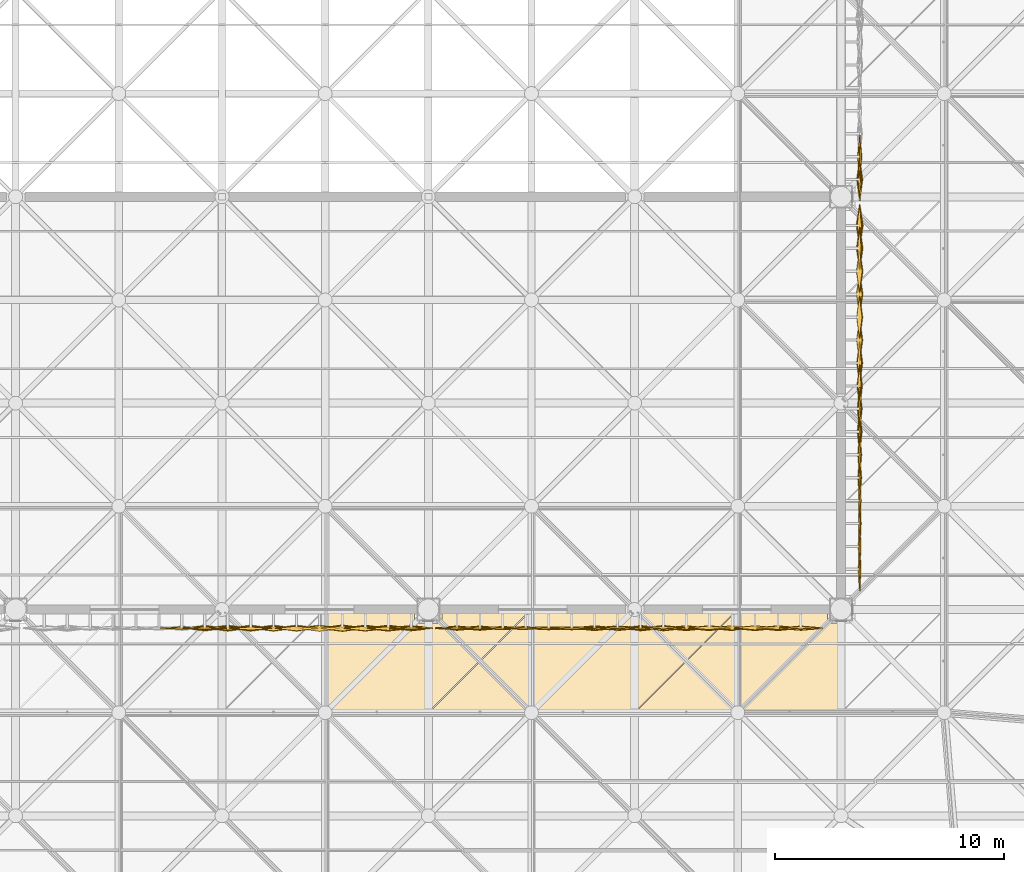
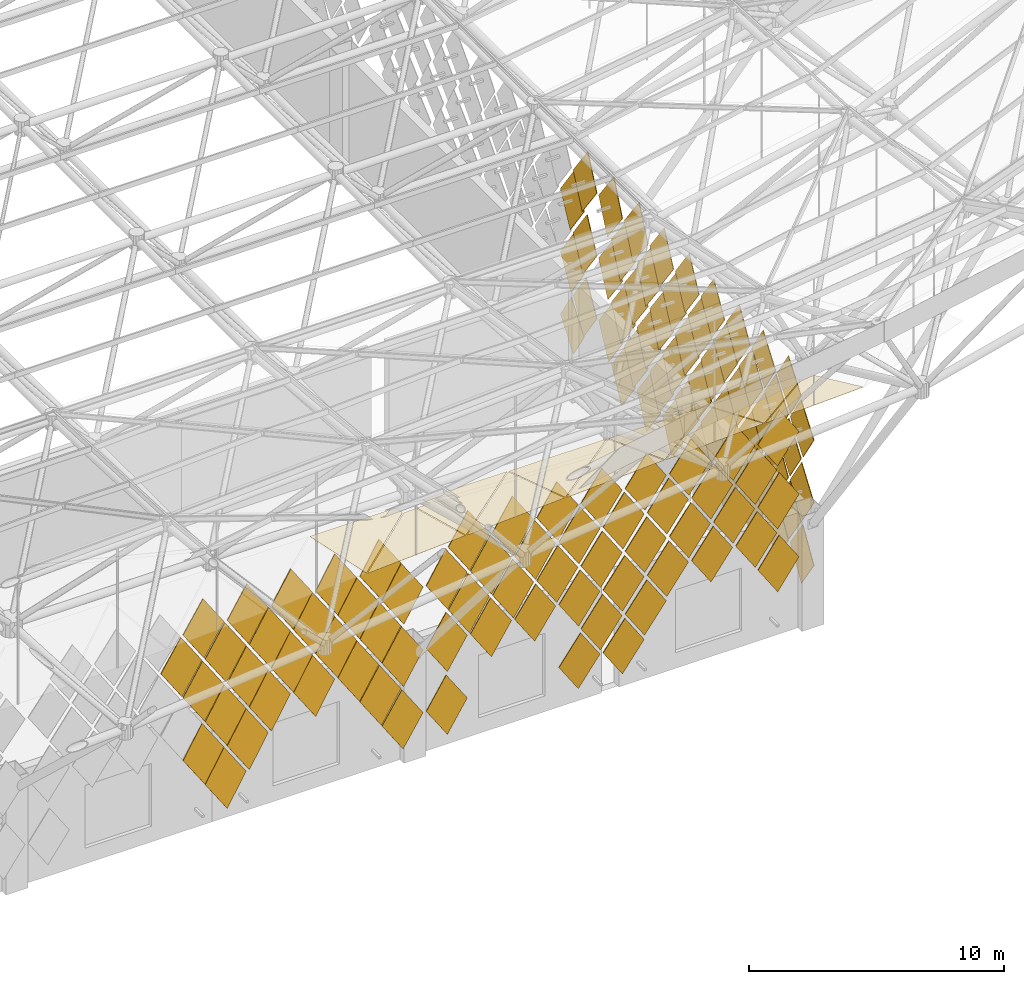
# One storey, part 416 of 437: 128 coverings.
"""IFC4 building model written with IfcOpenShell, lengths in metres."""

from ifc_helpers import new_model, si_unit, direction, frame, origin, place, context, subcontext, project, spatial, polyline, outline, extrude, material, layer, layer_set, material_profile, profile_set, type_object, element, save


model = new_model("IFC4")

# Units and contexts
model_context = context("Model", 3, precision=1e-05, world=origin(), true_north=direction((0.0, 1.0)))
body_context = subcontext(model_context, "Body", "Model", "MODEL_VIEW")
ifc_project = project(units=[si_unit("LENGTHUNIT", "METRE"), si_unit("AREAUNIT", "SQUARE_METRE"), si_unit("VOLUMEUNIT", "CUBIC_METRE"), si_unit("PLANEANGLEUNIT", "RADIAN"), si_unit("MASSUNIT", "GRAM", prefix="KILO")], contexts=[model_context])

# Site, building, storey
site_placement = place(None, origin())
site = spatial("IfcSite", under=ifc_project, at=site_placement, CompositionType="ELEMENT")
building_placement = place(site_placement, origin())
building = spatial("IfcBuilding", under=site, at=building_placement, Name="Opaline Strait Convention Centre", CompositionType="ELEMENT")
storey_placement = place(building_placement, frame((0.0, 0.0, 11.5)))
storey = spatial("IfcBuildingStorey", under=building, at=storey_placement, Name="L02", CompositionType="ELEMENT", Elevation=11.5)

# Coverings
ifc_material_1 = material(Name="White ceramic-faced aluminium tile", Category="aluminium")
ifc_material_profile_1 = material_profile(ifc_material_1, outline(polyline([(0.927978515625, 0.0), (0.0, 1.39208984375), (-0.927978515625, 0.0), (0.0, -1.39208984375), (0.927978515625, 0.0)])), Name="Diamond tile 1856x2784")
ifc_profile_set_1 = profile_set([ifc_material_profile_1], Name="White ceramic-faced aluminium tile")
covering_type_1 = type_object("IfcCoveringType", Name="Diamond wall tile 1856x2784x30 pivot 1 deg", PredefinedType="CLADDING", material=ifc_profile_set_1)
for number, where, z_axis, x_axis, name in (
    (1, (261.800048828125, 55.75, 1.89208984375), (0.999702690643, 0.0, -0.024382992455), (0.0, 1.0, 0.0), "Wall tile XT02 E"),
    (2, (261.800048828125, 56.75, 3.39208984375), (0.999702690643, 0.0, -0.024382992455), (0.0, 1.0, 0.0), "Wall tile XT02 E"),
    (3, (261.800048828125, 55.75, 4.89208984375), (0.999867829764, 0.0, 0.016258013492), (0.0, 1.0, 0.0), "Wall tile XT02 E"),
    (4, (261.800048828125, 57.75, 4.89208984375), (0.999702690643, 0.0, -0.024382992455), (0.0, 1.0, 0.0), "Wall tile XT02 E"),
    (5, (261.800048828125, 56.75, 6.39208984375), (0.999867829764, 0.0, 0.016258013492), (0.0, 1.0, 0.0), "Wall tile XT02 E"),
    (6, (261.800048828125, 57.75, 7.89208984375), (0.999867829764, 0.0, 0.016258013492), (0.0, 1.0, 0.0), "Wall tile XT02 E"),
):
    element("IfcCovering", number, at=place(storey_placement, frame(where, z_axis=z_axis, x_axis=x_axis)), inside=storey, type_object=covering_type_1, Name=name, PredefinedType="CLADDING", context=body_context, shape_type="SweptSolid", body=[
        extrude(outline(polyline([(0.927978515625, 0.0), (0.0, 1.39208984375), (-0.927978515625, 0.0), (0.0, -1.39208984375), (0.927978515625, 0.0)])), origin(), (0.0, 0.0, 1.0), 0.030029296875),
    ])
ifc_material_profile_2 = material_profile(ifc_material_1, outline(polyline([(0.927978515625, 0.0), (0.0, 1.39208984375), (-0.927978515625, 0.0), (0.0, -1.39208984375), (0.927978515625, 0.0)])), Name="Diamond tile 1856x2784")
ifc_profile_set_2 = profile_set([ifc_material_profile_2], Name="White ceramic-faced aluminium tile")
covering_type_2 = type_object("IfcCoveringType", Name="Diamond wall tile 1856x2784x30 pivot 1.5 deg", PredefinedType="CLADDING", material=ifc_profile_set_2)
for number, where, z_axis, x_axis, name in (
    (7, (246.25, 53.199951171875, 5.39208984375), (0.0, -0.999702690643, 0.024382992455), (1.0, 0.0, 0.0), "Wall tile XT03 S"),
    (8, (248.25, 53.199951171875, 5.39208984375), (0.0, -0.999471633277, -0.032503142546), (1.0, 0.0, 0.0), "Wall tile XT03 S"),
    (9, (247.25, 53.199951171875, 6.89208984375), (0.0, -0.999702690643, 0.024382992455), (1.0, 0.0, 0.0), "Wall tile XT03 S"),
    (10, (249.25, 53.199951171875, 6.89208984375), (0.0, -0.999471633277, -0.032503142546), (1.0, 0.0, 0.0), "Wall tile XT03 S"),
    (11, (248.25, 53.199951171875, 8.39208984375), (0.0, -0.999702690643, 0.024382992455), (1.0, 0.0, 0.0), "Wall tile XT03 S"),
    (12, (250.25, 53.199951171875, 8.39208984375), (0.0, -0.999471633277, -0.032503142546), (1.0, 0.0, 0.0), "Wall tile XT03 S"),
    (13, (249.25, 53.199951171875, 9.89208984375), (0.0, -0.999702690643, 0.024382992455), (1.0, 0.0, 0.0), "Wall tile XT03 S"),
    (14, (251.25, 53.199951171875, 9.89208984375), (0.0, -0.999471633277, -0.032503142546), (1.0, 0.0, 0.0), "Wall tile XT03 S"),
    (15, (261.800048828125, 57.75, 1.89208984375), (0.999471633277, 0.0, -0.032503142546), (0.0, 1.0, 0.0), "Wall tile XT03 E"),
    (16, (261.800048828125, 58.75, 3.39208984375), (0.999471633277, 0.0, -0.032503142546), (0.0, 1.0, 0.0), "Wall tile XT03 E"),
    (17, (261.800048828125, 59.75, 4.89208984375), (0.999471633277, 0.0, -0.032503142546), (0.0, 1.0, 0.0), "Wall tile XT03 E"),
    (18, (261.800048828125, 58.75, 6.39208984375), (0.999471633277, 0.0, -0.032503142546), (0.0, 1.0, 0.0), "Wall tile XT03 E"),
    (19, (261.800048828125, 60.75, 6.39208984375), (0.999471633277, 0.0, -0.032503142546), (0.0, 1.0, 0.0), "Wall tile XT03 E"),
    (20, (261.800048828125, 59.75, 7.89208984375), (0.999471633277, 0.0, -0.032503142546), (0.0, 1.0, 0.0), "Wall tile XT03 E"),
    (21, (261.800048828125, 61.75, 7.89208984375), (0.999471633277, 0.0, -0.032503142546), (0.0, 1.0, 0.0), "Wall tile XT03 E"),
    (22, (261.800048828125, 58.75, 9.39208984375), (0.999702690643, 0.0, 0.024382992455), (0.0, 1.0, 0.0), "Wall tile XT03 E"),
    (23, (261.800048828125, 60.75, 9.39208984375), (0.999471633277, 0.0, -0.032503142546), (0.0, 1.0, 0.0), "Wall tile XT03 E"),
    (24, (261.800048828125, 62.75, 9.39208984375), (0.999471633277, 0.0, -0.032503142546), (0.0, 1.0, 0.0), "Wall tile XT03 E"),
):
    element("IfcCovering", number, at=place(storey_placement, frame(where, z_axis=z_axis, x_axis=x_axis)), inside=storey, type_object=covering_type_2, Name=name, PredefinedType="CLADDING", context=body_context, shape_type="SweptSolid", body=[
        extrude(outline(polyline([(0.927978515625, 0.0), (0.0, 1.39208984375), (-0.927978515625, 0.0), (0.0, -1.39208984375), (0.927978515625, 0.0)])), origin(), (0.0, 0.0, 1.0), 0.030029296875),
    ])
ifc_material_profile_3 = material_profile(ifc_material_1, outline(polyline([(0.927978515625, 0.0), (0.0, 1.39208984375), (-0.927978515625, 0.0), (0.0, -1.39208984375), (0.927978515625, 0.0)])), Name="Diamond tile 1856x2784")
ifc_profile_set_3 = profile_set([ifc_material_profile_3], Name="White ceramic-faced aluminium tile")
covering_type_3 = type_object("IfcCoveringType", Name="Diamond wall tile 1856x2784x30 pivot 2 deg", PredefinedType="CLADDING", material=ifc_profile_set_3)
for number, where, z_axis, x_axis, name in (
    (25, (242.25, 53.199951171875, 2.39208984375), (0.0, -0.999471633277, 0.032503142546), (1.0, 0.0, 0.0), "Wall tile XT04 S"),
    (26, (244.25, 53.199951171875, 2.39208984375), (0.0, -0.999471633277, 0.032503142546), (1.0, 0.0, 0.0), "Wall tile XT04 S"),
    (27, (259.25, 53.199951171875, 3.89208984375), (0.0, -0.999174794796, -0.040616861577), (1.0, 0.0, 0.0), "Wall tile XT04 S"),
    (28, (244.25, 53.199951171875, 5.39208984375), (0.0, -0.999471633277, 0.032503142546), (1.0, 0.0, 0.0), "Wall tile XT04 S"),
    (29, (245.25, 53.199951171875, 6.89208984375), (0.0, -0.999471633277, 0.032503142546), (1.0, 0.0, 0.0), "Wall tile XT04 S"),
    (30, (232.25, 53.199951171875, 8.39208984375), (0.0, -0.999471633277, 0.032503142546), (1.0, 0.0, 0.0), "Wall tile XT04 S"),
    (31, (246.25, 53.199951171875, 8.39208984375), (0.0, -0.999471633277, 0.032503142546), (1.0, 0.0, 0.0), "Wall tile XT04 S"),
    (32, (252.25, 53.199951171875, 8.39208984375), (0.0, -0.999174794796, -0.040616861577), (1.0, 0.0, 0.0), "Wall tile XT04 S"),
    (33, (233.25, 53.199951171875, 9.89208984375), (0.0, -0.999471633277, 0.032503142546), (1.0, 0.0, 0.0), "Wall tile XT04 S"),
    (34, (247.25, 53.199951171875, 9.89208984375), (0.0, -0.999471633277, 0.032503142546), (1.0, 0.0, 0.0), "Wall tile XT04 S"),
    (35, (253.25, 53.199951171875, 9.89208984375), (0.0, -0.999174794796, -0.040616861577), (1.0, 0.0, 0.0), "Wall tile XT04 S"),
    (36, (261.800048828125, 73.75, 1.89208984375), (0.999471633277, 0.0, 0.032503142546), (0.0, 1.0, 0.0), "Wall tile XT04 E"),
    (37, (261.800048828125, 72.75, 3.39208984375), (0.999174794796, 0.0, -0.040616861577), (0.0, 1.0, 0.0), "Wall tile XT04 E"),
    (38, (261.800048828125, 73.75, 4.89208984375), (0.999174794796, 0.0, -0.040616861577), (0.0, 1.0, 0.0), "Wall tile XT04 E"),
    (39, (261.800048828125, 55.75, 7.89208984375), (0.999471633277, 0.0, 0.032503142546), (0.0, 1.0, 0.0), "Wall tile XT04 E"),
    (40, (261.800048828125, 56.75, 9.39208984375), (0.999471633277, 0.0, 0.032503142546), (0.0, 1.0, 0.0), "Wall tile XT04 E"),
):
    element("IfcCovering", number, at=place(storey_placement, frame(where, z_axis=z_axis, x_axis=x_axis)), inside=storey, type_object=covering_type_3, Name=name, PredefinedType="CLADDING", context=body_context, shape_type="SweptSolid", body=[
        extrude(outline(polyline([(0.927978515625, 0.0), (0.0, 1.39208984375), (-0.927978515625, 0.0), (0.0, -1.39208984375), (0.927978515625, 0.0)])), origin(), (0.0, 0.0, 1.0), 0.030029296875),
    ])
ifc_material_profile_4 = material_profile(ifc_material_1, outline(polyline([(0.927978515625, 0.0), (0.0, 1.39208984375), (-0.927978515625, 0.0), (0.0, -1.39208984375), (0.927978515625, 0.0)])), Name="Diamond tile 1856x2784")
ifc_profile_set_4 = profile_set([ifc_material_profile_4], Name="White ceramic-faced aluminium tile")
covering_type_4 = type_object("IfcCoveringType", Name="Diamond wall tile 1856x2784x30 pivot 2.5 deg", PredefinedType="CLADDING", material=ifc_profile_set_4)
for number, where, z_axis, x_axis, name in (
    (41, (250.25, 53.199951171875, 5.39208984375), (0.0, -0.998812351125, -0.048722553713), (1.0, 0.0, 0.0), "Wall tile XT05 S"),
    (42, (251.25, 53.199951171875, 6.89208984375), (0.0, -0.998812351125, -0.048722553713), (1.0, 0.0, 0.0), "Wall tile XT05 S"),
    (43, (259.25, 53.199951171875, 6.89208984375), (0.0, -0.998812351125, -0.048722553713), (1.0, 0.0, 0.0), "Wall tile XT05 S"),
):
    element("IfcCovering", number, at=place(storey_placement, frame(where, z_axis=z_axis, x_axis=x_axis)), inside=storey, type_object=covering_type_4, Name=name, PredefinedType="CLADDING", context=body_context, shape_type="SweptSolid", body=[
        extrude(outline(polyline([(0.927978515625, 0.0), (0.0, 1.39208984375), (-0.927978515625, 0.0), (0.0, -1.39208984375), (0.927978515625, 0.0)])), origin(), (0.0, 0.0, 1.0), 0.030029296875),
    ])
ifc_material_profile_5 = material_profile(ifc_material_1, outline(polyline([(0.927978515625, 0.0), (0.0, 1.39208984375), (-0.927978515625, 0.0), (0.0, -1.39208984375), (0.927978515625, 0.0)])), Name="Diamond tile 1856x2784")
ifc_profile_set_5 = profile_set([ifc_material_profile_5], Name="White ceramic-faced aluminium tile")
covering_type_5 = type_object("IfcCoveringType", Name="Diamond wall tile 1856x2784x30 pivot 3 deg", PredefinedType="CLADDING", material=ifc_profile_set_5)
for number, where, z_axis, x_axis, name in (
    (44, (258.25, 53.199951171875, 5.39208984375), (0.0, -0.998384516691, -0.056818631031), (1.0, 0.0, 0.0), "Wall tile XT06 S"),
    (45, (234.25, 53.199951171875, 8.39208984375), (0.0, -0.998812351125, 0.048722553713), (1.0, 0.0, 0.0), "Wall tile XT06 S"),
    (46, (254.25, 53.199951171875, 8.39208984375), (0.0, -0.998384516691, -0.056818631031), (1.0, 0.0, 0.0), "Wall tile XT06 S"),
    (47, (235.25, 53.199951171875, 9.89208984375), (0.0, -0.998812351125, 0.048722553713), (1.0, 0.0, 0.0), "Wall tile XT06 S"),
    (48, (255.25, 53.199951171875, 9.89208984375), (0.0, -0.998384516691, -0.056818631031), (1.0, 0.0, 0.0), "Wall tile XT06 S"),
    (49, (259.25, 53.199951171875, 9.89208984375), (0.0, -0.998384516691, -0.056818631031), (1.0, 0.0, 0.0), "Wall tile XT06 S"),
    (50, (261.800048828125, 59.75, 1.89208984375), (0.998384516691, 0.0, -0.056818631031), (0.0, 1.0, 0.0), "Wall tile XT06 E"),
    (51, (261.800048828125, 69.75, 1.89208984375), (0.998384516691, 0.0, -0.056818631031), (0.0, 1.0, 0.0), "Wall tile XT06 E"),
    (52, (261.800048828125, 60.75, 3.39208984375), (0.998384516691, 0.0, -0.056818631031), (0.0, 1.0, 0.0), "Wall tile XT06 E"),
    (53, (261.800048828125, 61.75, 4.89208984375), (0.998384516691, 0.0, -0.056818631031), (0.0, 1.0, 0.0), "Wall tile XT06 E"),
    (54, (261.800048828125, 62.75, 6.39208984375), (0.998384516691, 0.0, -0.056818631031), (0.0, 1.0, 0.0), "Wall tile XT06 E"),
    (55, (261.800048828125, 63.75, 7.89208984375), (0.998384516691, 0.0, -0.056818631031), (0.0, 1.0, 0.0), "Wall tile XT06 E"),
):
    element("IfcCovering", number, at=place(storey_placement, frame(where, z_axis=z_axis, x_axis=x_axis)), inside=storey, type_object=covering_type_5, Name=name, PredefinedType="CLADDING", context=body_context, shape_type="SweptSolid", body=[
        extrude(outline(polyline([(0.927978515625, 0.0), (0.0, 1.39208984375), (-0.927978515625, 0.0), (0.0, -1.39208984375), (0.927978515625, 0.0)])), origin(), (0.0, 0.0, 1.0), 0.030029296875),
    ])
ifc_material_profile_6 = material_profile(ifc_material_1, outline(polyline([(0.927978515625, 0.0), (0.0, 1.39208984375), (-0.927978515625, 0.0), (0.0, -1.39208984375), (0.927978515625, 0.0)])), Name="Diamond tile 1856x2784")
ifc_profile_set_6 = profile_set([ifc_material_profile_6], Name="White ceramic-faced aluminium tile")
covering_type_6 = type_object("IfcCoveringType", Name="Diamond wall tile 1856x2784x30 pivot 3.5 deg", PredefinedType="CLADDING", material=ifc_profile_set_6)
for number, where, z_axis, x_axis, name in (
    (56, (250.25, 53.199951171875, 2.39208984375), (0.0, -0.99785694905, -0.065433242561), (1.0, 0.0, 0.0), "Wall tile XT07 S"),
    (57, (241.25, 53.199951171875, 3.89208984375), (0.0, -0.99835799028, 0.057282835508), (1.0, 0.0, 0.0), "Wall tile XT07 S"),
    (58, (251.25, 53.199951171875, 3.89208984375), (0.0, -0.99785694905, -0.065433242561), (1.0, 0.0, 0.0), "Wall tile XT07 S"),
    (59, (242.25, 53.199951171875, 5.39208984375), (0.0, -0.99835799028, 0.057282835508), (1.0, 0.0, 0.0), "Wall tile XT07 S"),
    (60, (252.25, 53.199951171875, 5.39208984375), (0.0, -0.99785694905, -0.065433242561), (1.0, 0.0, 0.0), "Wall tile XT07 S"),
    (61, (254.25, 53.199951171875, 5.39208984375), (0.0, -0.99785694905, -0.065433242561), (1.0, 0.0, 0.0), "Wall tile XT07 S"),
    (62, (256.25, 53.199951171875, 5.39208984375), (0.0, -0.99785694905, -0.065433242561), (1.0, 0.0, 0.0), "Wall tile XT07 S"),
    (63, (233.25, 53.199951171875, 6.89208984375), (0.0, -0.99835799028, 0.057282835508), (1.0, 0.0, 0.0), "Wall tile XT07 S"),
    (64, (253.25, 53.199951171875, 6.89208984375), (0.0, -0.99785694905, -0.065433242561), (1.0, 0.0, 0.0), "Wall tile XT07 S"),
    (65, (255.25, 53.199951171875, 6.89208984375), (0.0, -0.99785694905, -0.065433242561), (1.0, 0.0, 0.0), "Wall tile XT07 S"),
    (66, (257.25, 53.199951171875, 6.89208984375), (0.0, -0.99785694905, -0.065433242561), (1.0, 0.0, 0.0), "Wall tile XT07 S"),
    (67, (244.25, 53.199951171875, 8.39208984375), (0.0, -0.99835799028, 0.057282835508), (1.0, 0.0, 0.0), "Wall tile XT07 S"),
    (68, (256.25, 53.199951171875, 8.39208984375), (0.0, -0.99785694905, -0.065433242561), (1.0, 0.0, 0.0), "Wall tile XT07 S"),
    (69, (258.25, 53.199951171875, 8.39208984375), (0.0, -0.99785694905, -0.065433242561), (1.0, 0.0, 0.0), "Wall tile XT07 S"),
    (70, (245.25, 53.199951171875, 9.89208984375), (0.0, -0.99835799028, 0.057282835508), (1.0, 0.0, 0.0), "Wall tile XT07 S"),
    (71, (257.25, 53.199951171875, 9.89208984375), (0.0, -0.99785694905, -0.065433242561), (1.0, 0.0, 0.0), "Wall tile XT07 S"),
    (72, (261.800048828125, 70.75, 3.39208984375), (0.99785694905, 0.0, -0.065433242561), (0.0, 1.0, 0.0), "Wall tile XT07 E"),
    (73, (261.800048828125, 72.75, 6.39208984375), (0.99785694905, 0.0, -0.065433242561), (0.0, 1.0, 0.0), "Wall tile XT07 E"),
    (74, (261.800048828125, 73.75, 7.89208984375), (0.99785694905, 0.0, -0.065433242561), (0.0, 1.0, 0.0), "Wall tile XT07 E"),
    (75, (261.800048828125, 64.75, 9.39208984375), (0.99785694905, 0.0, -0.065433242561), (0.0, 1.0, 0.0), "Wall tile XT07 E"),
):
    element("IfcCovering", number, at=place(storey_placement, frame(where, z_axis=z_axis, x_axis=x_axis)), inside=storey, type_object=covering_type_6, Name=name, PredefinedType="CLADDING", context=body_context, shape_type="SweptSolid", body=[
        extrude(outline(polyline([(0.927978515625, 0.0), (0.0, 1.39208984375), (-0.927978515625, 0.0), (0.0, -1.39208984375), (0.927978515625, 0.0)])), origin(), (0.0, 0.0, 1.0), 0.02978515625),
    ])
ifc_material_profile_7 = material_profile(ifc_material_1, outline(polyline([(0.927978515625, 0.0), (0.0, 1.39208984375), (-0.927978515625, 0.0), (0.0, -1.39208984375), (0.927978515625, 0.0)])), Name="Diamond tile 1856x2784")
ifc_profile_set_7 = profile_set([ifc_material_profile_7], Name="White ceramic-faced aluminium tile")
covering_type_7 = type_object("IfcCoveringType", Name="Diamond wall tile 1856x2784x30 pivot 4 deg", PredefinedType="CLADDING", material=ifc_profile_set_7)
for number, where, z_axis, x_axis, name in (
    (76, (252.25, 53.199951171875, 2.39208984375), (0.0, -0.997290013252, -0.073570574748), (1.0, 0.0, 0.0), "Wall tile XT08 S"),
    (77, (253.25, 53.199951171875, 3.89208984375), (0.0, -0.997290013252, -0.073570574748), (1.0, 0.0, 0.0), "Wall tile XT08 S"),
    (78, (261.800048828125, 61.75, 1.89208984375), (0.997290013252, 0.0, -0.073570574748), (0.0, 1.0, 0.0), "Wall tile XT08 E"),
    (79, (261.800048828125, 62.75, 3.39208984375), (0.997290013252, 0.0, -0.073570574748), (0.0, 1.0, 0.0), "Wall tile XT08 E"),
    (80, (261.800048828125, 63.75, 4.89208984375), (0.997290013252, 0.0, -0.073570574748), (0.0, 1.0, 0.0), "Wall tile XT08 E"),
):
    element("IfcCovering", number, at=place(storey_placement, frame(where, z_axis=z_axis, x_axis=x_axis)), inside=storey, type_object=covering_type_7, Name=name, PredefinedType="CLADDING", context=body_context, shape_type="SweptSolid", body=[
        extrude(outline(polyline([(0.927978515625, 0.0), (0.0, 1.39208984375), (-0.927978515625, 0.0), (0.0, -1.39208984375), (0.927978515625, 0.0)])), origin(), (0.0, 0.0, 1.0), 0.02978515625),
    ])
ifc_material_profile_8 = material_profile(ifc_material_1, outline(polyline([(0.927978515625, 0.0), (0.0, 1.39208984375), (-0.927978515625, 0.0), (0.0, -1.39208984375), (0.927978515625, 0.0)])), Name="Diamond tile 1856x2784")
ifc_profile_set_8 = profile_set([ifc_material_profile_8], Name="White ceramic-faced aluminium tile")
covering_type_8 = type_object("IfcCoveringType", Name="Diamond wall tile 1856x2784x30 pivot 4.5 deg", PredefinedType="CLADDING", material=ifc_profile_set_8)
for number, where, z_axis, x_axis, name in (
    (81, (234.25, 53.199951171875, 5.39208984375), (0.0, -0.997290013252, 0.073570574748), (1.0, 0.0, 0.0), "Wall tile XT09 S"),
    (82, (240.25, 53.199951171875, 5.39208984375), (0.0, -0.997290013252, 0.073570574748), (1.0, 0.0, 0.0), "Wall tile XT09 S"),
    (83, (235.25, 53.199951171875, 6.89208984375), (0.0, -0.997290013252, 0.073570574748), (1.0, 0.0, 0.0), "Wall tile XT09 S"),
    (84, (241.25, 53.199951171875, 6.89208984375), (0.0, -0.997290013252, 0.073570574748), (1.0, 0.0, 0.0), "Wall tile XT09 S"),
    (85, (236.25, 53.199951171875, 8.39208984375), (0.0, -0.997290013252, 0.073570574748), (1.0, 0.0, 0.0), "Wall tile XT09 S"),
    (86, (242.25, 53.199951171875, 8.39208984375), (0.0, -0.997290013252, 0.073570574748), (1.0, 0.0, 0.0), "Wall tile XT09 S"),
    (87, (237.25, 53.199951171875, 9.89208984375), (0.0, -0.997290013252, 0.073570574748), (1.0, 0.0, 0.0), "Wall tile XT09 S"),
    (88, (261.800048828125, 63.75, 1.89208984375), (0.996657521232, 0.0, -0.081693239445), (0.0, 1.0, 0.0), "Wall tile XT09 E"),
    (89, (261.800048828125, 67.75, 1.89208984375), (0.996657521232, 0.0, -0.081693239445), (0.0, 1.0, 0.0), "Wall tile XT09 E"),
    (90, (261.800048828125, 68.75, 3.39208984375), (0.996657521232, 0.0, -0.081693239445), (0.0, 1.0, 0.0), "Wall tile XT09 E"),
    (91, (261.800048828125, 69.75, 4.89208984375), (0.996657521232, 0.0, -0.081693239445), (0.0, 1.0, 0.0), "Wall tile XT09 E"),
    (92, (261.800048828125, 64.75, 6.39208984375), (0.996657521232, 0.0, -0.081693239445), (0.0, 1.0, 0.0), "Wall tile XT09 E"),
    (93, (261.800048828125, 65.75, 7.89208984375), (0.996657521232, 0.0, -0.081693239445), (0.0, 1.0, 0.0), "Wall tile XT09 E"),
    (94, (261.800048828125, 66.75, 9.39208984375), (0.996657521232, 0.0, -0.081693239445), (0.0, 1.0, 0.0), "Wall tile XT09 E"),
):
    element("IfcCovering", number, at=place(storey_placement, frame(where, z_axis=z_axis, x_axis=x_axis)), inside=storey, type_object=covering_type_8, Name=name, PredefinedType="CLADDING", context=body_context, shape_type="SweptSolid", body=[
        extrude(outline(polyline([(0.927978515625, 0.0), (0.0, 1.39208984375), (-0.927978515625, 0.0), (0.0, -1.39208984375), (0.927978515625, 0.0)])), origin(), (0.0, 0.0, 1.0), 0.02978515625),
    ])
ifc_material_profile_9 = material_profile(ifc_material_1, outline(polyline([(0.927978515625, 0.0), (0.0, 1.39208984375), (-0.927978515625, 0.0), (0.0, -1.39208984375), (0.927978515625, 0.0)])), Name="Diamond tile 1856x2784")
ifc_profile_set_9 = profile_set([ifc_material_profile_9], Name="White ceramic-faced aluminium tile")
covering_type_9 = type_object("IfcCoveringType", Name="Diamond wall tile 1856x2784x30 pivot 5 deg", PredefinedType="CLADDING", material=ifc_profile_set_9)
for number, where, z_axis, x_axis, name in (
    (95, (233.25, 53.199951171875, 3.89208984375), (0.0, -0.996657521232, 0.081693239445), (1.0, 0.0, 0.0), "Wall tile XT10 S"),
    (96, (240.25, 53.199951171875, 8.39208984375), (0.0, -0.996657521232, 0.081693239445), (1.0, 0.0, 0.0), "Wall tile XT10 S"),
    (97, (239.25, 53.199951171875, 9.89208984375), (0.0, -0.996657521232, 0.081693239445), (1.0, 0.0, 0.0), "Wall tile XT10 S"),
    (98, (241.25, 53.199951171875, 9.89208984375), (0.0, -0.996657521232, 0.081693239445), (1.0, 0.0, 0.0), "Wall tile XT10 S"),
    (99, (261.800048828125, 65.75, 1.89208984375), (0.995959849254, 0.0, -0.089799658539), (0.0, 1.0, 0.0), "Wall tile XT10 E"),
    (100, (261.800048828125, 64.75, 3.39208984375), (0.995959849254, 0.0, -0.089799658539), (0.0, 1.0, 0.0), "Wall tile XT10 E"),
    (101, (261.800048828125, 66.75, 3.39208984375), (0.995959849254, 0.0, -0.089799658539), (0.0, 1.0, 0.0), "Wall tile XT10 E"),
    (102, (261.800048828125, 65.75, 4.89208984375), (0.995959849254, 0.0, -0.089799658539), (0.0, 1.0, 0.0), "Wall tile XT10 E"),
    (103, (261.800048828125, 66.75, 6.39208984375), (0.995959849254, 0.0, -0.089799658539), (0.0, 1.0, 0.0), "Wall tile XT10 E"),
    (104, (261.800048828125, 70.75, 6.39208984375), (0.995959849254, 0.0, -0.089799658539), (0.0, 1.0, 0.0), "Wall tile XT10 E"),
    (105, (261.800048828125, 72.75, 9.39208984375), (0.995959849254, 0.0, -0.089799658539), (0.0, 1.0, 0.0), "Wall tile XT10 E"),
):
    element("IfcCovering", number, at=place(storey_placement, frame(where, z_axis=z_axis, x_axis=x_axis)), inside=storey, type_object=covering_type_9, Name=name, PredefinedType="CLADDING", context=body_context, shape_type="SweptSolid", body=[
        extrude(outline(polyline([(0.927978515625, 0.0), (0.0, 1.39208984375), (-0.927978515625, 0.0), (0.0, -1.39208984375), (0.927978515625, 0.0)])), origin(), (0.0, 0.0, 1.0), 0.02978515625),
    ])
ifc_material_profile_10 = material_profile(ifc_material_1, outline(polyline([(0.927978515625, 0.0), (0.0, 1.39208984375), (-0.927978515625, 0.0), (0.0, -1.39208984375), (0.927978515625, 0.0)])), Name="Diamond tile 1856x2784")
ifc_profile_set_10 = profile_set([ifc_material_profile_10], Name="White ceramic-faced aluminium tile")
covering_type_10 = type_object("IfcCoveringType", Name="Diamond wall tile 1856x2784x30 pivot 5.5 deg", PredefinedType="CLADDING", material=ifc_profile_set_10)
for number, where, z_axis, x_axis, name in (
    (106, (234.25, 53.199951171875, 2.39208984375), (0.0, -0.995959849254, 0.089799658539), (1.0, 0.0, 0.0), "Wall tile XT11 S"),
    (107, (235.25, 53.199951171875, 3.89208984375), (0.0, -0.995959849254, 0.089799658539), (1.0, 0.0, 0.0), "Wall tile XT11 S"),
    (108, (236.25, 53.199951171875, 5.39208984375), (0.0, -0.995959849254, 0.089799658539), (1.0, 0.0, 0.0), "Wall tile XT11 S"),
    (109, (238.25, 53.199951171875, 5.39208984375), (0.0, -0.995959849254, 0.089799658539), (1.0, 0.0, 0.0), "Wall tile XT11 S"),
    (110, (237.25, 53.199951171875, 6.89208984375), (0.0, -0.995959849254, 0.089799658539), (1.0, 0.0, 0.0), "Wall tile XT11 S"),
    (111, (239.25, 53.199951171875, 6.89208984375), (0.0, -0.995959849254, 0.089799658539), (1.0, 0.0, 0.0), "Wall tile XT11 S"),
    (112, (238.25, 53.199951171875, 8.39208984375), (0.0, -0.995959849254, 0.089799658539), (1.0, 0.0, 0.0), "Wall tile XT11 S"),
):
    element("IfcCovering", number, at=place(storey_placement, frame(where, z_axis=z_axis, x_axis=x_axis)), inside=storey, type_object=covering_type_10, Name=name, PredefinedType="CLADDING", context=body_context, shape_type="SweptSolid", body=[
        extrude(outline(polyline([(0.927978515625, 0.0), (0.0, 1.39208984375), (-0.927978515625, 0.0), (0.0, -1.39208984375), (0.927978515625, 0.0)])), origin(), (0.0, 0.0, 1.0), 0.02978515625),
    ])
for number, where, z_axis, x_axis, name in (
    (113, (261.800048828125, 67.75, 4.89208984375), (0.995197410875, 0.0, -0.097888269922), (0.0, 1.0, 0.0), "Wall tile XT11 E"),
    (114, (261.800048828125, 68.75, 6.39208984375), (0.995197410875, 0.0, -0.097888269922), (0.0, 1.0, 0.0), "Wall tile XT11 E"),
    (115, (261.800048828125, 67.75, 7.89208984375), (0.995197410875, 0.0, -0.097888269922), (0.0, 1.0, 0.0), "Wall tile XT11 E"),
    (116, (261.800048828125, 69.75, 7.89208984375), (0.995197410875, 0.0, -0.097888269922), (0.0, 1.0, 0.0), "Wall tile XT11 E"),
    (117, (261.800048828125, 68.75, 9.39208984375), (0.995197410875, 0.0, -0.097888269922), (0.0, 1.0, 0.0), "Wall tile XT11 E"),
):
    element("IfcCovering", number, at=place(storey_placement, frame(where, z_axis=z_axis, x_axis=x_axis)), inside=storey, type_object=covering_type_10, Name=name, PredefinedType="CLADDING", context=body_context, shape_type="SweptSolid", body=[
        extrude(outline(polyline([(0.927978515625, 0.0), (0.0, 1.39208984375), (-0.927978515625, 0.0), (0.0, -1.39208984375), (0.927978515625, 0.0)])), origin(), (0.0, 0.0, 1.0), 0.030029296875),
    ])
ifc_material_profile_11 = material_profile(ifc_material_1, outline(polyline([(0.927978515625, 0.0), (0.0, 1.39208984375), (-0.927978515625, 0.0), (0.0, -1.39208984375), (0.927978515625, 0.0)])), Name="Diamond tile 1856x2784")
ifc_profile_set_11 = profile_set([ifc_material_profile_11], Name="White ceramic-faced aluminium tile")
covering_type_11 = type_object("IfcCoveringType", Name="Diamond wall tile 1856x2784x30 pivot 6 deg", PredefinedType="CLADDING", material=ifc_profile_set_11)
covering_1_placement = place(storey_placement, frame((261.800048828125, 70.75, 9.39208984375), z_axis=(0.994370656274, 0.0, -0.105957528947), x_axis=(0.0, 1.0, 0.0)))
element("IfcCovering", 118, at=covering_1_placement, inside=storey, type_object=covering_type_11, Name="Wall tile XT12 E", PredefinedType="CLADDING", context=body_context, shape_type="SweptSolid", body=[
    extrude(outline(polyline([(0.927978515625, 0.0), (0.0, 1.39208984375), (-0.927978515625, 0.0), (0.0, -1.39208984375), (0.927978515625, 0.0)])), origin(), (0.0, 0.0, 1.0), 0.030029296875),
])
ifc_material_2 = material(Name="White aluminium soffit panel", Category="aluminium")
ifc_layer = layer(ifc_material_2, 0.011962890625)
ifc_layer_set = layer_set([ifc_layer], Name="White aluminium soffit panel")
covering_type_12 = type_object("IfcCoveringType", Name="Soffit lining panel 12 aluminium", PredefinedType="CEILING", material=ifc_layer_set)
covering_2_placement = place(storey_placement, frame((242.42822265625, 53.39990234375, 12.062255859375), z_axis=(-0.056554722907, 0.258304052823, 0.964406853777), x_axis=(0.998285893941, 5.8415353e-05, 0.058525810938)))
element("IfcCovering", 119, at=covering_2_placement, inside=storey, type_object=covering_type_12, Name="Soffit lining panel", PredefinedType="CEILING", context=body_context, shape_type="SweptSolid", body=[
    extrude(outline(polyline([(0.0, 0.0), (0.5526981267945815, 0.0), (0.613297746026378, -4.016214212726455), (-3.8259638593122554, -4.0159123619286055), (0.0, 0.0)])), origin(), (0.0, 0.0, -1.0), 0.011962890625),
])
covering_3_placement = place(storey_placement, frame((238.52001953125, 53.97998046875, 11.959228515625), z_axis=(-7.290009e-06, 0.204804393512, 0.978802922117), x_axis=(0.999999999973, 1.493026e-06, 7.135482e-06)))
element("IfcCovering", 120, at=covering_3_placement, inside=storey, type_object=covering_type_12, Name="Soffit lining panel", PredefinedType="CEILING", context=body_context, shape_type="SweptSolid", body=[
    extrude(outline(polyline([(0.0, 0.0), (3.8798828123969034, 8.215971434182947e-22), (3.8798828126030966, -0.5637126665471801), (-2.0619339560963047e-10, -4.527606867510143), (0.0, 0.0)])), origin(), (0.0, 0.0, -1.0), 0.011962890625),
])
covering_4_placement = place(storey_placement, frame((243.04833984375, 49.52001953125, 13.1201171875), z_axis=(-0.052301197228, 0.306844161114, 0.950321653736), x_axis=(0.694755567167, 0.694755567167, -0.186089773445)))
element("IfcCovering", 121, at=covering_4_placement, inside=storey, type_object=covering_type_12, Name="Soffit lining panel", PredefinedType="CEILING", context=body_context, shape_type="SweptSolid", body=[
    extrude(outline(polyline([(0.0, 0.0), (6.378704733623482, 2.220446049250313e-16), (3.0335203543813254, -3.239857772155295), (0.0, 0.0)])), origin(), (0.0, 0.0, -1.0), 0.011962890625),
])
covering_5_placement = place(storey_placement, frame((247.45166015625, 53.97998046875, 11.9423828125), z_axis=(-2.2585036e-05, 0.258734508722, 0.965948473515), x_axis=(-0.694755566952, -0.694758564219, 0.186078584565)))
element("IfcCovering", 122, at=covering_5_placement, inside=storey, type_object=covering_type_12, Name="Soffit lining panel", PredefinedType="CEILING", context=body_context, shape_type="SweptSolid", body=[
    extrude(outline(polyline([(0.0, 0.0), (6.378704733195556, -4.163336342344337e-16), (3.510814301680071, -2.770238625058436), (3.10780179506919, -2.3530197970471733), (2.675894488338916, -2.770220635818889), (0.0, 0.0)])), origin(), (0.0, 0.0, -1.0), 0.011962890625),
])
covering_6_placement = place(storey_placement, frame((247.54833984375, 49.52001953125, 13.349853515625), z_axis=(-0.051412509616, 0.353094322796, 0.934174048593), x_axis=(0.689361784961, 0.689361784961, -0.222622233552)))
element("IfcCovering", 123, at=covering_6_placement, inside=storey, type_object=covering_type_12, Name="Soffit lining panel", PredefinedType="CEILING", context=body_context, shape_type="SweptSolid", body=[
    extrude(outline(polyline([(0.0, 0.0), (6.428613714427233, -2.7755575615628914e-16), (3.0007069114469935, -3.2702724895389252), (0.0, 0.0)])), origin(), (0.0, 0.0, -1.0), 0.011962890625),
])
covering_7_placement = place(storey_placement, frame((247.52001953125, 49.54833984375, 13.357421875), z_axis=(0.0, 0.307264697163, 0.951624088534), x_axis=(0.0, 0.951624088534, -0.307264697163)))
element("IfcCovering", 124, at=covering_7_placement, inside=storey, type_object=covering_type_12, Name="Soffit lining panel", PredefinedType="CEILING", context=body_context, shape_type="SweptSolid", body=[
    extrude(outline(polyline([(0.0, 0.0), (4.65692354617518, 0.0), (4.65692354617518, -4.431640625), (0.0, 0.0)])), origin(), (0.0, 0.0, -1.0), 0.011962890625),
])
covering_8_placement = place(storey_placement, frame((252.04833984375, 49.52001953125, 13.58349609375), z_axis=(-0.038626263491, 0.386820964607, 0.92134551234), x_axis=(0.683135434977, 0.683135434977, -0.258170399071)))
element("IfcCovering", 125, at=covering_8_placement, inside=storey, type_object=covering_type_12, Name="Soffit lining panel", PredefinedType="CEILING", context=body_context, shape_type="SweptSolid", body=[
    extrude(outline(polyline([(0.0, 0.0), (6.4872064865836325, 1.1102230246251565e-16), (2.9794450053747457, -3.285858242618638), (0.0, 0.0)])), origin(), (0.0, 0.0, -1.0), 0.011962890625),
])
covering_9_placement = place(storey_placement, frame((252.02001953125, 49.54833984375, 13.585205078125), z_axis=(0.0, 0.35351681603, 0.935428169762), x_axis=(0.0, 0.935428169762, -0.35351681603)))
element("IfcCovering", 126, at=covering_9_placement, inside=storey, type_object=covering_type_12, Name="Soffit lining panel", PredefinedType="CEILING", context=body_context, shape_type="SweptSolid", body=[
    extrude(outline(polyline([(0.0, 0.0), (4.737553099483146, 0.0), (4.737553099483146, -4.431640625), (0.0, 0.0)])), origin(), (0.0, 0.0, -1.0), 0.011962890625),
])
covering_10_placement = place(storey_placement, frame((260.97998046875, 53.39990234375, 12.152587890625), z_axis=(-0.038044665286, 0.418964447828, 0.907205266133), x_axis=(-4.42408e-07, -0.907862529653, 0.419267965926)))
element("IfcCovering", 127, at=covering_10_placement, inside=storey, type_object=covering_type_12, Name="Soffit lining panel", PredefinedType="CEILING", context=body_context, shape_type="SweptSolid", body=[
    extrude(outline(polyline([(0.0, 0.0), (4.273622783978898, -6.938893903907228e-18), (4.195728523364408, -4.4348494238622065), (-0.009723988505994086, -0.5521594490287016), (0.0, 0.0)])), origin(), (0.0, 0.0, -1.0), 0.011962890625),
])
covering_11_placement = place(storey_placement, frame((260.39990234375, 53.97998046875, 11.898193359375), z_axis=(-1.500748e-06, 0.387154153056, 0.922015000837), x_axis=(1.5e-11, -0.922015000838, 0.387154153056)))
element("IfcCovering", 128, at=covering_11_placement, inside=storey, type_object=covering_type_12, Name="Soffit lining panel", PredefinedType="CEILING", context=body_context, shape_type="SweptSolid", body=[
    extrude(outline(polyline([(0.0, 0.0), (0.5984285139515351, 5.293955920339377e-23), (4.806471008199195, -3.879882812574555), (-5.6655297581325294e-11, -3.879882812495631), (0.0, 0.0)])), origin(), (0.0, 0.0, -1.0), 0.011962890625),
])

save(model, "model.ifc")
